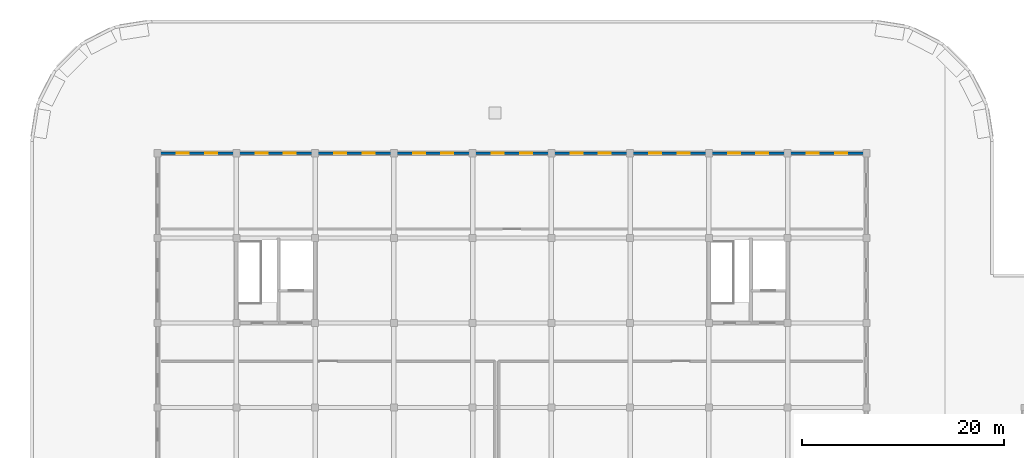
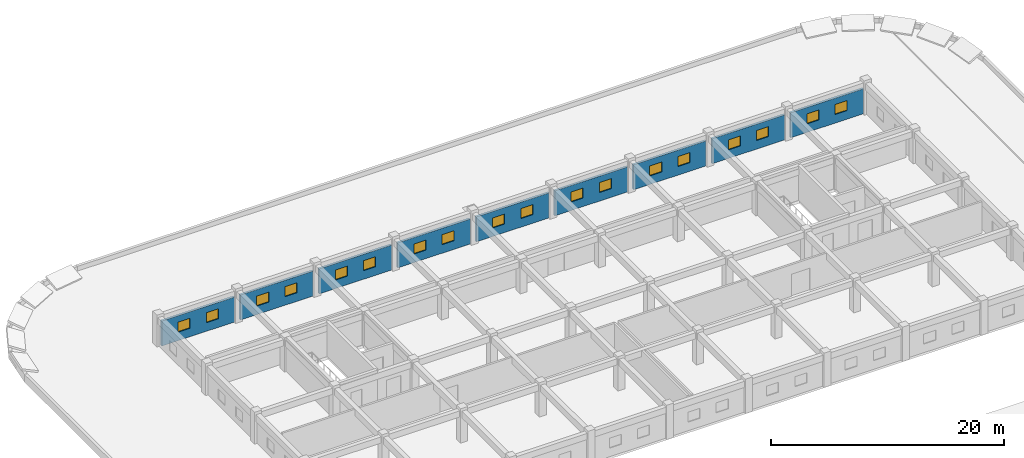
# One storey, part 97 of 101: 18 windows, 9 walls, 18 openings.
"""IFC4 building model written with IfcOpenShell, lengths in metres."""

from ifc_helpers import new_model, si_unit, direction, frame, frame_2d, origin, place, context, subcontext, project, spatial, rectangle, extrude, material, layer, layer_set, type_object, element, fill, save


model = new_model("IFC4")

# Units and contexts
model_context = context("Model", 3, precision=1e-05, world=origin(), true_north=direction((0.0, 1.0)))
body_context = subcontext(model_context, "Body", "Model", "MODEL_VIEW")
ifc_project = project(units=[si_unit("LENGTHUNIT", "METRE"), si_unit("AREAUNIT", "SQUARE_METRE"), si_unit("VOLUMEUNIT", "CUBIC_METRE"), si_unit("PLANEANGLEUNIT", "RADIAN"), si_unit("MASSUNIT", "GRAM", prefix="KILO")], contexts=[model_context])

# Site, building, storey
site_placement = place(None, origin())
site = spatial("IfcSite", under=ifc_project, at=site_placement, CompositionType="ELEMENT")
building_placement = place(site_placement, origin())
building = spatial("IfcBuilding", under=site, at=building_placement, Name="Zizhar Promenade General Hospital", CompositionType="ELEMENT")
storey_placement = place(building_placement, frame((0.0, 0.0, 14.39990234375)))
storey = spatial("IfcBuildingStorey", under=building, at=storey_placement, Name="L03", CompositionType="ELEMENT", Elevation=14.39990234375)

# Wall, openings, windows
ifc_material_1 = material(Name="Precast concrete C40/50", Category="concrete")
ifc_layer = layer(ifc_material_1, 0.22509765625)
ifc_layer_set = layer_set([ifc_layer], Name="Precast concrete C40/50")
wall_type = type_object("IfcWallType", Name="EW-INT-225", PredefinedType="STANDARD", material=ifc_layer_set)
wall_1_placement = place(storey_placement, frame((54.889892578125, 126.0, 0.0), z_axis=(0.0, 0.0, 1.0), x_axis=(1.0, 0.0, 0.0)))
wall_1 = element("IfcWall", 1, at=wall_1_placement, inside=storey, type_object=wall_type, Name="Surgical Interstitial North Wall 7", PredefinedType="STANDARD", context=body_context, shape_type="SweptSolid", body=[
    extrude(rectangle(XDim=7.22021484375, YDim=0.22509765625, at=frame_2d((3.610107421875, 0.0))), origin(), (0.0, 0.0, 1.0), 2.6201171875),
])
opening_1_placement = place(wall_1_placement, frame((1.606689453125, 0.0, 0.89990234375)))
opening_1 = element("IfcOpeningElement", 2, at=opening_1_placement, cuts=wall_1, Name="Opening W-15", PredefinedType="OPENING", context=body_context, shape_type="SweptSolid", body=[
    extrude(rectangle(XDim=1.199951171875, YDim=1.050048828125, at=frame_2d((0.60009765625, 0.52490234375))), frame((0.0, 0.12255859375, 0.0), z_axis=(0.0, -1.0, 0.0), x_axis=(1.0, 0.0, 0.0)), (0.0, 0.0, 1.0), 0.2451171875),
])
opening_2_placement = place(wall_1_placement, frame((4.413330078125, 0.0, 0.89990234375)))
opening_2 = element("IfcOpeningElement", 3, at=opening_2_placement, cuts=wall_1, Name="Opening W-15", PredefinedType="OPENING", context=body_context, shape_type="SweptSolid", body=[
    extrude(rectangle(XDim=1.199951171875, YDim=1.050048828125, at=frame_2d((0.60009765625, 0.52490234375))), frame((0.0, 0.12255859375, 0.0), z_axis=(0.0, -1.0, 0.0), x_axis=(1.0, 0.0, 0.0)), (0.0, 0.0, 1.0), 0.2451171875),
])
ifc_material_2 = material(Name="Anodised aluminium 6063-T6 and low-E glass", Category="aluminium")
window_type = type_object("IfcWindowType", Name="WIN-INT-120x105", PartitioningType="SINGLE_PANEL", PredefinedType="WINDOW", material=ifc_material_2)
window_1_placement = place(opening_1_placement, origin())
window_1 = element("IfcWindow", 4, at=window_1_placement, inside=storey, type_object=window_type, Name="Surgical Interstitial North Wall 7 Window 1", OverallHeight=1.050048828125, OverallWidth=1.199951171875, PartitioningType="SINGLE_PANEL", PredefinedType="WINDOW", context=body_context, shape_type="SweptSolid", body=[
    extrude(rectangle(XDim=1.199951171875, YDim=1.050048828125, at=frame_2d((0.60009765625, 0.52490234375))), frame((0.0, 0.030029296875, 0.0), z_axis=(0.0, -1.0, 0.0), x_axis=(1.0, 0.0, 0.0)), (0.0, 0.0, 1.0), 0.06005859375),
])
fill(opening_1, window_1)
window_2_placement = place(opening_2_placement, origin())
window_2 = element("IfcWindow", 5, at=window_2_placement, inside=storey, type_object=window_type, Name="Surgical Interstitial North Wall 7 Window 2", OverallHeight=1.050048828125, OverallWidth=1.199951171875, PartitioningType="SINGLE_PANEL", PredefinedType="WINDOW", context=body_context, shape_type="SweptSolid", body=[
    extrude(rectangle(XDim=1.199951171875, YDim=1.050048828125, at=frame_2d((0.60009765625, 0.52490234375))), frame((0.0, 0.030029296875, 0.0), z_axis=(0.0, -1.0, 0.0), x_axis=(1.0, 0.0, 0.0)), (0.0, 0.0, 1.0), 0.06005859375),
])
fill(opening_2, window_2)

wall_2_placement = place(storey_placement, frame((62.68994140625, 126.0, 0.0), z_axis=(0.0, 0.0, 1.0), x_axis=(1.0, 0.0, 0.0)))
wall_2 = element("IfcWall", 6, at=wall_2_placement, inside=storey, type_object=wall_type, Name="Surgical Interstitial North Wall 8", PredefinedType="STANDARD", context=body_context, shape_type="SweptSolid", body=[
    extrude(rectangle(XDim=7.219970703125, YDim=0.22509765625, at=frame_2d((3.60986328125, 0.0))), origin(), (0.0, 0.0, 1.0), 2.6201171875),
])
opening_3_placement = place(wall_2_placement, frame((1.606689453125, 0.0, 0.89990234375)))
opening_3 = element("IfcOpeningElement", 7, at=opening_3_placement, cuts=wall_2, Name="Opening W-15", PredefinedType="OPENING", context=body_context, shape_type="SweptSolid", body=[
    extrude(rectangle(XDim=1.199951171875, YDim=1.050048828125, at=frame_2d((0.60009765625, 0.52490234375))), frame((0.0, 0.12255859375, 0.0), z_axis=(0.0, -1.0, 0.0), x_axis=(1.0, 0.0, 0.0)), (0.0, 0.0, 1.0), 0.2451171875),
])
opening_4_placement = place(wall_2_placement, frame((4.413330078125, 0.0, 0.89990234375)))
opening_4 = element("IfcOpeningElement", 8, at=opening_4_placement, cuts=wall_2, Name="Opening W-15", PredefinedType="OPENING", context=body_context, shape_type="SweptSolid", body=[
    extrude(rectangle(XDim=1.199951171875, YDim=1.050048828125, at=frame_2d((0.60009765625, 0.52490234375))), frame((0.0, 0.12255859375, 0.0), z_axis=(0.0, -1.0, 0.0), x_axis=(1.0, 0.0, 0.0)), (0.0, 0.0, 1.0), 0.2451171875),
])
window_3_placement = place(opening_3_placement, origin())
window_3 = element("IfcWindow", 9, at=window_3_placement, inside=storey, type_object=window_type, Name="Surgical Interstitial North Wall 8 Window 1", OverallHeight=1.050048828125, OverallWidth=1.199951171875, PartitioningType="SINGLE_PANEL", PredefinedType="WINDOW", context=body_context, shape_type="SweptSolid", body=[
    extrude(rectangle(XDim=1.199951171875, YDim=1.050048828125, at=frame_2d((0.60009765625, 0.52490234375))), frame((0.0, 0.030029296875, 0.0), z_axis=(0.0, -1.0, 0.0), x_axis=(1.0, 0.0, 0.0)), (0.0, 0.0, 1.0), 0.06005859375),
])
fill(opening_3, window_3)
window_4_placement = place(opening_4_placement, origin())
window_4 = element("IfcWindow", 10, at=window_4_placement, inside=storey, type_object=window_type, Name="Surgical Interstitial North Wall 8 Window 2", OverallHeight=1.050048828125, OverallWidth=1.199951171875, PartitioningType="SINGLE_PANEL", PredefinedType="WINDOW", context=body_context, shape_type="SweptSolid", body=[
    extrude(rectangle(XDim=1.199951171875, YDim=1.050048828125, at=frame_2d((0.60009765625, 0.52490234375))), frame((0.0, 0.030029296875, 0.0), z_axis=(0.0, -1.0, 0.0), x_axis=(1.0, 0.0, 0.0)), (0.0, 0.0, 1.0), 0.06005859375),
])
fill(opening_4, window_4)

wall_3_placement = place(storey_placement, frame((70.489990234375, 126.0, 0.0), z_axis=(0.0, 0.0, 1.0), x_axis=(1.0, 0.0, 0.0)))
wall_3 = element("IfcWall", 11, at=wall_3_placement, inside=storey, type_object=wall_type, Name="Surgical Interstitial North Wall 9", PredefinedType="STANDARD", context=body_context, shape_type="SweptSolid", body=[
    extrude(rectangle(XDim=7.219970703125, YDim=0.22509765625, at=frame_2d((3.60986328125, 0.0))), origin(), (0.0, 0.0, 1.0), 2.6201171875),
])
opening_5_placement = place(wall_3_placement, frame((1.606689453125, 0.0, 0.89990234375)))
opening_5 = element("IfcOpeningElement", 12, at=opening_5_placement, cuts=wall_3, Name="Opening W-15", PredefinedType="OPENING", context=body_context, shape_type="SweptSolid", body=[
    extrude(rectangle(XDim=1.199951171875, YDim=1.050048828125, at=frame_2d((0.60009765625, 0.52490234375))), frame((0.0, 0.12255859375, 0.0), z_axis=(0.0, -1.0, 0.0), x_axis=(1.0, 0.0, 0.0)), (0.0, 0.0, 1.0), 0.2451171875),
])
opening_6_placement = place(wall_3_placement, frame((4.413330078125, 0.0, 0.89990234375)))
opening_6 = element("IfcOpeningElement", 13, at=opening_6_placement, cuts=wall_3, Name="Opening W-15", PredefinedType="OPENING", context=body_context, shape_type="SweptSolid", body=[
    extrude(rectangle(XDim=1.199951171875, YDim=1.050048828125, at=frame_2d((0.60009765625, 0.52490234375))), frame((0.0, 0.12255859375, 0.0), z_axis=(0.0, -1.0, 0.0), x_axis=(1.0, 0.0, 0.0)), (0.0, 0.0, 1.0), 0.2451171875),
])
window_5_placement = place(opening_5_placement, origin())
window_5 = element("IfcWindow", 14, at=window_5_placement, inside=storey, type_object=window_type, Name="Surgical Interstitial North Wall 9 Window 1", OverallHeight=1.050048828125, OverallWidth=1.199951171875, PartitioningType="SINGLE_PANEL", PredefinedType="WINDOW", context=body_context, shape_type="SweptSolid", body=[
    extrude(rectangle(XDim=1.199951171875, YDim=1.050048828125, at=frame_2d((0.60009765625, 0.52490234375))), frame((0.0, 0.030029296875, 0.0), z_axis=(0.0, -1.0, 0.0), x_axis=(1.0, 0.0, 0.0)), (0.0, 0.0, 1.0), 0.06005859375),
])
fill(opening_5, window_5)
window_6_placement = place(opening_6_placement, origin())
window_6 = element("IfcWindow", 15, at=window_6_placement, inside=storey, type_object=window_type, Name="Surgical Interstitial North Wall 9 Window 2", OverallHeight=1.050048828125, OverallWidth=1.199951171875, PartitioningType="SINGLE_PANEL", PredefinedType="WINDOW", context=body_context, shape_type="SweptSolid", body=[
    extrude(rectangle(XDim=1.199951171875, YDim=1.050048828125, at=frame_2d((0.60009765625, 0.52490234375))), frame((0.0, 0.030029296875, 0.0), z_axis=(0.0, -1.0, 0.0), x_axis=(1.0, 0.0, 0.0)), (0.0, 0.0, 1.0), 0.06005859375),
])
fill(opening_6, window_6)

wall_4_placement = place(storey_placement, frame((78.2900390625, 126.0, 0.0), z_axis=(0.0, 0.0, 1.0), x_axis=(1.0, 0.0, 0.0)))
wall_4 = element("IfcWall", 16, at=wall_4_placement, inside=storey, type_object=wall_type, Name="Surgical Interstitial North Wall 10", PredefinedType="STANDARD", context=body_context, shape_type="SweptSolid", body=[
    extrude(rectangle(XDim=7.219970703125, YDim=0.22509765625, at=frame_2d((3.60986328125, 0.0))), origin(), (0.0, 0.0, 1.0), 2.6201171875),
])
opening_7_placement = place(wall_4_placement, frame((1.606689453125, 0.0, 0.89990234375)))
opening_7 = element("IfcOpeningElement", 17, at=opening_7_placement, cuts=wall_4, Name="Opening W-15", PredefinedType="OPENING", context=body_context, shape_type="SweptSolid", body=[
    extrude(rectangle(XDim=1.199951171875, YDim=1.050048828125, at=frame_2d((0.60009765625, 0.52490234375))), frame((0.0, 0.12255859375, 0.0), z_axis=(0.0, -1.0, 0.0), x_axis=(1.0, 0.0, 0.0)), (0.0, 0.0, 1.0), 0.2451171875),
])
opening_8_placement = place(wall_4_placement, frame((4.413330078125, 0.0, 0.89990234375)))
opening_8 = element("IfcOpeningElement", 18, at=opening_8_placement, cuts=wall_4, Name="Opening W-15", PredefinedType="OPENING", context=body_context, shape_type="SweptSolid", body=[
    extrude(rectangle(XDim=1.199951171875, YDim=1.050048828125, at=frame_2d((0.60009765625, 0.52490234375))), frame((0.0, 0.12255859375, 0.0), z_axis=(0.0, -1.0, 0.0), x_axis=(1.0, 0.0, 0.0)), (0.0, 0.0, 1.0), 0.2451171875),
])
window_7_placement = place(opening_7_placement, origin())
window_7 = element("IfcWindow", 19, at=window_7_placement, inside=storey, type_object=window_type, Name="Surgical Interstitial North Wall 10 Window 1", OverallHeight=1.050048828125, OverallWidth=1.199951171875, PartitioningType="SINGLE_PANEL", PredefinedType="WINDOW", context=body_context, shape_type="SweptSolid", body=[
    extrude(rectangle(XDim=1.199951171875, YDim=1.050048828125, at=frame_2d((0.60009765625, 0.52490234375))), frame((0.0, 0.030029296875, 0.0), z_axis=(0.0, -1.0, 0.0), x_axis=(1.0, 0.0, 0.0)), (0.0, 0.0, 1.0), 0.06005859375),
])
fill(opening_7, window_7)
window_8_placement = place(opening_8_placement, origin())
window_8 = element("IfcWindow", 20, at=window_8_placement, inside=storey, type_object=window_type, Name="Surgical Interstitial North Wall 10 Window 2", OverallHeight=1.050048828125, OverallWidth=1.199951171875, PartitioningType="SINGLE_PANEL", PredefinedType="WINDOW", context=body_context, shape_type="SweptSolid", body=[
    extrude(rectangle(XDim=1.199951171875, YDim=1.050048828125, at=frame_2d((0.60009765625, 0.52490234375))), frame((0.0, 0.030029296875, 0.0), z_axis=(0.0, -1.0, 0.0), x_axis=(1.0, 0.0, 0.0)), (0.0, 0.0, 1.0), 0.06005859375),
])
fill(opening_8, window_8)

wall_5_placement = place(storey_placement, frame((86.090087890625, 126.0, 0.0), z_axis=(0.0, 0.0, 1.0), x_axis=(1.0, 0.0, 0.0)))
wall_5 = element("IfcWall", 21, at=wall_5_placement, inside=storey, type_object=wall_type, Name="Surgical Interstitial North Wall 11", PredefinedType="STANDARD", context=body_context, shape_type="SweptSolid", body=[
    extrude(rectangle(XDim=7.219970703125, YDim=0.22509765625, at=frame_2d((3.60986328125, 0.0))), origin(), (0.0, 0.0, 1.0), 2.6201171875),
])
opening_9_placement = place(wall_5_placement, frame((1.606689453125, 0.0, 0.89990234375)))
opening_9 = element("IfcOpeningElement", 22, at=opening_9_placement, cuts=wall_5, Name="Opening W-15", PredefinedType="OPENING", context=body_context, shape_type="SweptSolid", body=[
    extrude(rectangle(XDim=1.199951171875, YDim=1.050048828125, at=frame_2d((0.60009765625, 0.52490234375))), frame((0.0, 0.12255859375, 0.0), z_axis=(0.0, -1.0, 0.0), x_axis=(1.0, 0.0, 0.0)), (0.0, 0.0, 1.0), 0.2451171875),
])
opening_10_placement = place(wall_5_placement, frame((4.413330078125, 0.0, 0.89990234375)))
opening_10 = element("IfcOpeningElement", 23, at=opening_10_placement, cuts=wall_5, Name="Opening W-15", PredefinedType="OPENING", context=body_context, shape_type="SweptSolid", body=[
    extrude(rectangle(XDim=1.199951171875, YDim=1.050048828125, at=frame_2d((0.60009765625, 0.52490234375))), frame((0.0, 0.12255859375, 0.0), z_axis=(0.0, -1.0, 0.0), x_axis=(1.0, 0.0, 0.0)), (0.0, 0.0, 1.0), 0.2451171875),
])
window_9_placement = place(opening_9_placement, origin())
window_9 = element("IfcWindow", 24, at=window_9_placement, inside=storey, type_object=window_type, Name="Surgical Interstitial North Wall 11 Window 1", OverallHeight=1.050048828125, OverallWidth=1.199951171875, PartitioningType="SINGLE_PANEL", PredefinedType="WINDOW", context=body_context, shape_type="SweptSolid", body=[
    extrude(rectangle(XDim=1.199951171875, YDim=1.050048828125, at=frame_2d((0.60009765625, 0.52490234375))), frame((0.0, 0.030029296875, 0.0), z_axis=(0.0, -1.0, 0.0), x_axis=(1.0, 0.0, 0.0)), (0.0, 0.0, 1.0), 0.06005859375),
])
fill(opening_9, window_9)
window_10_placement = place(opening_10_placement, origin())
window_10 = element("IfcWindow", 25, at=window_10_placement, inside=storey, type_object=window_type, Name="Surgical Interstitial North Wall 11 Window 2", OverallHeight=1.050048828125, OverallWidth=1.199951171875, PartitioningType="SINGLE_PANEL", PredefinedType="WINDOW", context=body_context, shape_type="SweptSolid", body=[
    extrude(rectangle(XDim=1.199951171875, YDim=1.050048828125, at=frame_2d((0.60009765625, 0.52490234375))), frame((0.0, 0.030029296875, 0.0), z_axis=(0.0, -1.0, 0.0), x_axis=(1.0, 0.0, 0.0)), (0.0, 0.0, 1.0), 0.06005859375),
])
fill(opening_10, window_10)

wall_6_placement = place(storey_placement, frame((93.889892578125, 126.0, 0.0), z_axis=(0.0, 0.0, 1.0), x_axis=(1.0, 0.0, 0.0)))
wall_6 = element("IfcWall", 26, at=wall_6_placement, inside=storey, type_object=wall_type, Name="Surgical Interstitial North Wall 12", PredefinedType="STANDARD", context=body_context, shape_type="SweptSolid", body=[
    extrude(rectangle(XDim=7.22021484375, YDim=0.22509765625, at=frame_2d((3.610107421875, 0.0))), origin(), (0.0, 0.0, 1.0), 2.6201171875),
])
opening_11_placement = place(wall_6_placement, frame((1.606689453125, 0.0, 0.89990234375)))
opening_11 = element("IfcOpeningElement", 27, at=opening_11_placement, cuts=wall_6, Name="Opening W-15", PredefinedType="OPENING", context=body_context, shape_type="SweptSolid", body=[
    extrude(rectangle(XDim=1.199951171875, YDim=1.050048828125, at=frame_2d((0.60009765625, 0.52490234375))), frame((0.0, 0.12255859375, 0.0), z_axis=(0.0, -1.0, 0.0), x_axis=(1.0, 0.0, 0.0)), (0.0, 0.0, 1.0), 0.2451171875),
])
opening_12_placement = place(wall_6_placement, frame((4.413330078125, 0.0, 0.89990234375)))
opening_12 = element("IfcOpeningElement", 28, at=opening_12_placement, cuts=wall_6, Name="Opening W-15", PredefinedType="OPENING", context=body_context, shape_type="SweptSolid", body=[
    extrude(rectangle(XDim=1.199951171875, YDim=1.050048828125, at=frame_2d((0.60009765625, 0.52490234375))), frame((0.0, 0.12255859375, 0.0), z_axis=(0.0, -1.0, 0.0), x_axis=(1.0, 0.0, 0.0)), (0.0, 0.0, 1.0), 0.2451171875),
])
window_11_placement = place(opening_11_placement, origin())
window_11 = element("IfcWindow", 29, at=window_11_placement, inside=storey, type_object=window_type, Name="Surgical Interstitial North Wall 12 Window 1", OverallHeight=1.050048828125, OverallWidth=1.199951171875, PartitioningType="SINGLE_PANEL", PredefinedType="WINDOW", context=body_context, shape_type="SweptSolid", body=[
    extrude(rectangle(XDim=1.199951171875, YDim=1.050048828125, at=frame_2d((0.60009765625, 0.52490234375))), frame((0.0, 0.030029296875, 0.0), z_axis=(0.0, -1.0, 0.0), x_axis=(1.0, 0.0, 0.0)), (0.0, 0.0, 1.0), 0.06005859375),
])
fill(opening_11, window_11)
window_12_placement = place(opening_12_placement, origin())
window_12 = element("IfcWindow", 30, at=window_12_placement, inside=storey, type_object=window_type, Name="Surgical Interstitial North Wall 12 Window 2", OverallHeight=1.050048828125, OverallWidth=1.199951171875, PartitioningType="SINGLE_PANEL", PredefinedType="WINDOW", context=body_context, shape_type="SweptSolid", body=[
    extrude(rectangle(XDim=1.199951171875, YDim=1.050048828125, at=frame_2d((0.60009765625, 0.52490234375))), frame((0.0, 0.030029296875, 0.0), z_axis=(0.0, -1.0, 0.0), x_axis=(1.0, 0.0, 0.0)), (0.0, 0.0, 1.0), 0.06005859375),
])
fill(opening_12, window_12)

wall_7_placement = place(storey_placement, frame((101.68994140625, 126.0, 0.0), z_axis=(0.0, 0.0, 1.0), x_axis=(1.0, 0.0, 0.0)))
wall_7 = element("IfcWall", 31, at=wall_7_placement, inside=storey, type_object=wall_type, Name="Surgical Interstitial North Wall 13", PredefinedType="STANDARD", context=body_context, shape_type="SweptSolid", body=[
    extrude(rectangle(XDim=7.219970703125, YDim=0.22509765625, at=frame_2d((3.60986328125, 0.0))), origin(), (0.0, 0.0, 1.0), 2.6201171875),
])
opening_13_placement = place(wall_7_placement, frame((1.606689453125, 0.0, 0.89990234375)))
opening_13 = element("IfcOpeningElement", 32, at=opening_13_placement, cuts=wall_7, Name="Opening W-15", PredefinedType="OPENING", context=body_context, shape_type="SweptSolid", body=[
    extrude(rectangle(XDim=1.199951171875, YDim=1.050048828125, at=frame_2d((0.60009765625, 0.52490234375))), frame((0.0, 0.12255859375, 0.0), z_axis=(0.0, -1.0, 0.0), x_axis=(1.0, 0.0, 0.0)), (0.0, 0.0, 1.0), 0.2451171875),
])
opening_14_placement = place(wall_7_placement, frame((4.413330078125, 0.0, 0.89990234375)))
opening_14 = element("IfcOpeningElement", 33, at=opening_14_placement, cuts=wall_7, Name="Opening W-15", PredefinedType="OPENING", context=body_context, shape_type="SweptSolid", body=[
    extrude(rectangle(XDim=1.199951171875, YDim=1.050048828125, at=frame_2d((0.60009765625, 0.52490234375))), frame((0.0, 0.12255859375, 0.0), z_axis=(0.0, -1.0, 0.0), x_axis=(1.0, 0.0, 0.0)), (0.0, 0.0, 1.0), 0.2451171875),
])
window_13_placement = place(opening_13_placement, origin())
window_13 = element("IfcWindow", 34, at=window_13_placement, inside=storey, type_object=window_type, Name="Surgical Interstitial North Wall 13 Window 1", OverallHeight=1.050048828125, OverallWidth=1.199951171875, PartitioningType="SINGLE_PANEL", PredefinedType="WINDOW", context=body_context, shape_type="SweptSolid", body=[
    extrude(rectangle(XDim=1.199951171875, YDim=1.050048828125, at=frame_2d((0.60009765625, 0.52490234375))), frame((0.0, 0.030029296875, 0.0), z_axis=(0.0, -1.0, 0.0), x_axis=(1.0, 0.0, 0.0)), (0.0, 0.0, 1.0), 0.06005859375),
])
fill(opening_13, window_13)
window_14_placement = place(opening_14_placement, origin())
window_14 = element("IfcWindow", 35, at=window_14_placement, inside=storey, type_object=window_type, Name="Surgical Interstitial North Wall 13 Window 2", OverallHeight=1.050048828125, OverallWidth=1.199951171875, PartitioningType="SINGLE_PANEL", PredefinedType="WINDOW", context=body_context, shape_type="SweptSolid", body=[
    extrude(rectangle(XDim=1.199951171875, YDim=1.050048828125, at=frame_2d((0.60009765625, 0.52490234375))), frame((0.0, 0.030029296875, 0.0), z_axis=(0.0, -1.0, 0.0), x_axis=(1.0, 0.0, 0.0)), (0.0, 0.0, 1.0), 0.06005859375),
])
fill(opening_14, window_14)

wall_8_placement = place(storey_placement, frame((109.489990234375, 126.0, 0.0), z_axis=(0.0, 0.0, 1.0), x_axis=(1.0, 0.0, 0.0)))
wall_8 = element("IfcWall", 36, at=wall_8_placement, inside=storey, type_object=wall_type, Name="Surgical Interstitial North Wall 14", PredefinedType="STANDARD", context=body_context, shape_type="SweptSolid", body=[
    extrude(rectangle(XDim=7.219970703125, YDim=0.22509765625, at=frame_2d((3.60986328125, 0.0))), origin(), (0.0, 0.0, 1.0), 2.6201171875),
])
opening_15_placement = place(wall_8_placement, frame((1.606689453125, 0.0, 0.89990234375)))
opening_15 = element("IfcOpeningElement", 37, at=opening_15_placement, cuts=wall_8, Name="Opening W-15", PredefinedType="OPENING", context=body_context, shape_type="SweptSolid", body=[
    extrude(rectangle(XDim=1.199951171875, YDim=1.050048828125, at=frame_2d((0.60009765625, 0.52490234375))), frame((0.0, 0.12255859375, 0.0), z_axis=(0.0, -1.0, 0.0), x_axis=(1.0, 0.0, 0.0)), (0.0, 0.0, 1.0), 0.2451171875),
])
opening_16_placement = place(wall_8_placement, frame((4.413330078125, 0.0, 0.89990234375)))
opening_16 = element("IfcOpeningElement", 38, at=opening_16_placement, cuts=wall_8, Name="Opening W-15", PredefinedType="OPENING", context=body_context, shape_type="SweptSolid", body=[
    extrude(rectangle(XDim=1.199951171875, YDim=1.050048828125, at=frame_2d((0.60009765625, 0.52490234375))), frame((0.0, 0.12255859375, 0.0), z_axis=(0.0, -1.0, 0.0), x_axis=(1.0, 0.0, 0.0)), (0.0, 0.0, 1.0), 0.2451171875),
])
window_15_placement = place(opening_15_placement, origin())
window_15 = element("IfcWindow", 39, at=window_15_placement, inside=storey, type_object=window_type, Name="Surgical Interstitial North Wall 14 Window 1", OverallHeight=1.050048828125, OverallWidth=1.199951171875, PartitioningType="SINGLE_PANEL", PredefinedType="WINDOW", context=body_context, shape_type="SweptSolid", body=[
    extrude(rectangle(XDim=1.199951171875, YDim=1.050048828125, at=frame_2d((0.60009765625, 0.52490234375))), frame((0.0, 0.030029296875, 0.0), z_axis=(0.0, -1.0, 0.0), x_axis=(1.0, 0.0, 0.0)), (0.0, 0.0, 1.0), 0.06005859375),
])
fill(opening_15, window_15)
window_16_placement = place(opening_16_placement, origin())
window_16 = element("IfcWindow", 40, at=window_16_placement, inside=storey, type_object=window_type, Name="Surgical Interstitial North Wall 14 Window 2", OverallHeight=1.050048828125, OverallWidth=1.199951171875, PartitioningType="SINGLE_PANEL", PredefinedType="WINDOW", context=body_context, shape_type="SweptSolid", body=[
    extrude(rectangle(XDim=1.199951171875, YDim=1.050048828125, at=frame_2d((0.60009765625, 0.52490234375))), frame((0.0, 0.030029296875, 0.0), z_axis=(0.0, -1.0, 0.0), x_axis=(1.0, 0.0, 0.0)), (0.0, 0.0, 1.0), 0.06005859375),
])
fill(opening_16, window_16)

wall_9_placement = place(storey_placement, frame((117.2900390625, 126.0, 0.0), z_axis=(0.0, 0.0, 1.0), x_axis=(1.0, 0.0, 0.0)))
wall_9 = element("IfcWall", 41, at=wall_9_placement, inside=storey, type_object=wall_type, Name="Surgical Interstitial North Wall 15", PredefinedType="STANDARD", context=body_context, shape_type="SweptSolid", body=[
    extrude(rectangle(XDim=7.219970703125, YDim=0.22509765625, at=frame_2d((3.60986328125, 0.0))), origin(), (0.0, 0.0, 1.0), 2.6201171875),
])
opening_17_placement = place(wall_9_placement, frame((1.606689453125, 0.0, 0.89990234375)))
opening_17 = element("IfcOpeningElement", 42, at=opening_17_placement, cuts=wall_9, Name="Opening W-15", PredefinedType="OPENING", context=body_context, shape_type="SweptSolid", body=[
    extrude(rectangle(XDim=1.199951171875, YDim=1.050048828125, at=frame_2d((0.60009765625, 0.52490234375))), frame((0.0, 0.12255859375, 0.0), z_axis=(0.0, -1.0, 0.0), x_axis=(1.0, 0.0, 0.0)), (0.0, 0.0, 1.0), 0.2451171875),
])
opening_18_placement = place(wall_9_placement, frame((4.413330078125, 0.0, 0.89990234375)))
opening_18 = element("IfcOpeningElement", 43, at=opening_18_placement, cuts=wall_9, Name="Opening W-15", PredefinedType="OPENING", context=body_context, shape_type="SweptSolid", body=[
    extrude(rectangle(XDim=1.199951171875, YDim=1.050048828125, at=frame_2d((0.60009765625, 0.52490234375))), frame((0.0, 0.12255859375, 0.0), z_axis=(0.0, -1.0, 0.0), x_axis=(1.0, 0.0, 0.0)), (0.0, 0.0, 1.0), 0.2451171875),
])
window_17_placement = place(opening_17_placement, origin())
window_17 = element("IfcWindow", 44, at=window_17_placement, inside=storey, type_object=window_type, Name="Surgical Interstitial North Wall 15 Window 1", OverallHeight=1.050048828125, OverallWidth=1.199951171875, PartitioningType="SINGLE_PANEL", PredefinedType="WINDOW", context=body_context, shape_type="SweptSolid", body=[
    extrude(rectangle(XDim=1.199951171875, YDim=1.050048828125, at=frame_2d((0.60009765625, 0.52490234375))), frame((0.0, 0.030029296875, 0.0), z_axis=(0.0, -1.0, 0.0), x_axis=(1.0, 0.0, 0.0)), (0.0, 0.0, 1.0), 0.06005859375),
])
fill(opening_17, window_17)
window_18_placement = place(opening_18_placement, origin())
window_18 = element("IfcWindow", 45, at=window_18_placement, inside=storey, type_object=window_type, Name="Surgical Interstitial North Wall 15 Window 2", OverallHeight=1.050048828125, OverallWidth=1.199951171875, PartitioningType="SINGLE_PANEL", PredefinedType="WINDOW", context=body_context, shape_type="SweptSolid", body=[
    extrude(rectangle(XDim=1.199951171875, YDim=1.050048828125, at=frame_2d((0.60009765625, 0.52490234375))), frame((0.0, 0.030029296875, 0.0), z_axis=(0.0, -1.0, 0.0), x_axis=(1.0, 0.0, 0.0)), (0.0, 0.0, 1.0), 0.06005859375),
])
fill(opening_18, window_18)

save(model, "model.ifc")
